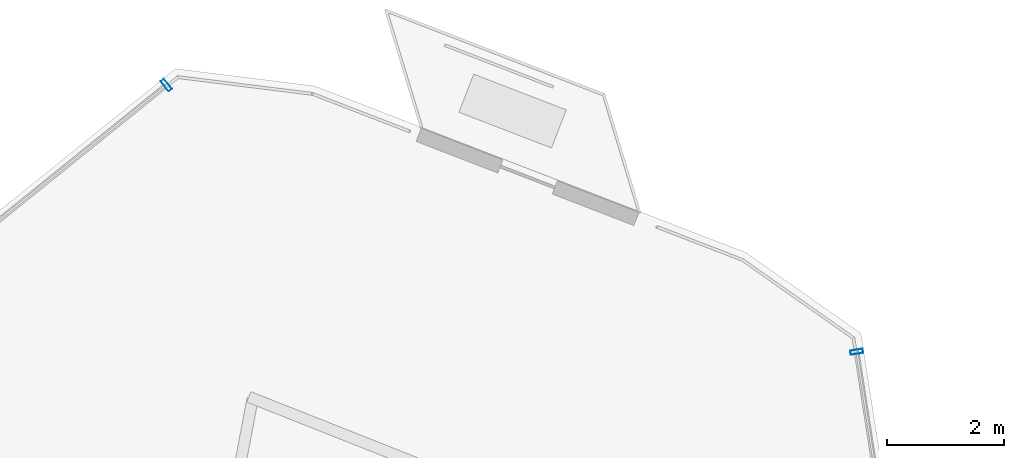
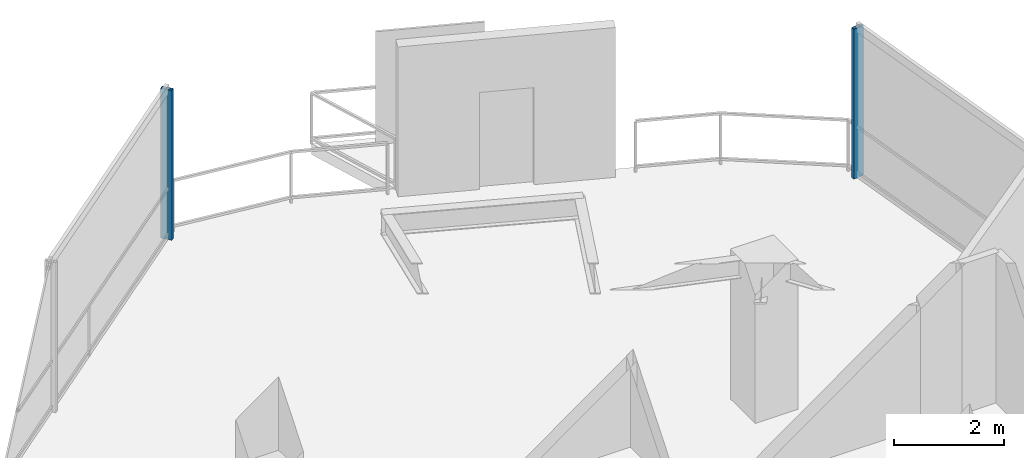
# One storey, part 14 of 19: 2 members, 2 elements without a shape of their own.
"""IFC4 building model written with IfcOpenShell, lengths in metres."""

import ifcopenshell
import ifcopenshell.guid

model = None  # the IFC model being written
_history = None  # IfcOwnerHistory: only IFC2X3 demands one
_inside = {}  # id of a spatial element -> (the spatial element, [elements in it])
_under = {}  # id of a project, library or spatial element -> (it, [spatial elements below it])
_declared = {}  # id of a project -> (the project, [libraries it declares])
_typed = {}  # id of a type object -> (the type object, [elements of that type])
_made_of = {}  # id of a material, layer set ... -> (it, [elements and type objects made of it])


def new_model(schema):
    """Start an empty IFC model of exactly this schema.

    Asked for "IFC4X3", IfcOpenShell would pick the latest addendum, in which some entities
    have other attributes; the version numbers below select the first issue.
    IFC2X3 requires an IfcOwnerHistory on every rooted entity: one is made here for all.
    """
    global model, _history
    if schema == "IFC4X3":
        model = ifcopenshell.file(schema_version=(4, 3, 0, 0))
    else:
        model = ifcopenshell.file(schema=schema)
    _inside.clear()
    _under.clear()
    _declared.clear()
    _typed.clear()
    _made_of.clear()
    _history = None
    if model.schema == "IFC2X3":
        org = make("IfcOrganization", Name="unknown")
        user = make(
            "IfcPersonAndOrganization",
            ThePerson=make("IfcPerson", FamilyName="unknown"),
            TheOrganization=org,
        )
        app = make(
            "IfcApplication",
            ApplicationDeveloper=org,
            Version="unknown",
            ApplicationFullName="unknown",
            ApplicationIdentifier="unknown",
        )
        _history = make(
            "IfcOwnerHistory",
            OwningUser=user,
            OwningApplication=app,
            ChangeAction="ADDED",
            CreationDate=0,
        )
    return model


def make(cls, **values):
    """One entity of the class cls with the attributes given. An attribute that is None is left unset."""
    return model.create_entity(
        cls, **{name: value for name, value in values.items() if value is not None}
    )


def rooted(cls, **values):
    """An entity with a GlobalId (a new one), such as an element, a storey or a relation."""
    return make(cls, GlobalId=ifcopenshell.guid.new(), OwnerHistory=_history, **values)


def si_unit(unit_type, name, prefix=None):
    """IfcSIUnit, for example si_unit("LENGTHUNIT", "METRE", prefix="MILLI")."""
    return make("IfcSIUnit", UnitType=unit_type, Prefix=prefix, Name=name)


def assignment(units):
    """IfcUnitAssignment: the units of a project."""
    return None if units is None else make("IfcUnitAssignment", Units=units)


def point(xyz):
    """IfcCartesianPoint."""
    return None if xyz is None else make("IfcCartesianPoint", Coordinates=xyz)


def direction(xyz):
    """IfcDirection."""
    return None if xyz is None else make("IfcDirection", DirectionRatios=xyz)


def frame(location, z_axis=None, x_axis=None):
    """IfcAxis2Placement3D, a coordinate frame: its origin and axes. An axis left out is left unset."""
    return make(
        "IfcAxis2Placement3D",
        Location=point(location),
        Axis=direction(z_axis),
        RefDirection=direction(x_axis),
    )


def frame_2d(location, x_axis=None):
    """IfcAxis2Placement2D, a coordinate frame in the plane: its origin and x axis."""
    return make(
        "IfcAxis2Placement2D", Location=point(location), RefDirection=direction(x_axis)
    )


def origin():
    """The frame at (0, 0, 0) with its axes left unset."""
    return frame((0.0, 0.0, 0.0))


def origin_2d():
    """The frame at (0, 0) in the plane with its x axis left unset."""
    return frame_2d((0.0, 0.0))


def place(relative_to, where):
    """IfcLocalPlacement: puts the frame where relative to a parent placement (None: the world)."""
    return make(
        "IfcLocalPlacement", PlacementRelTo=relative_to, RelativePlacement=where
    )


def context(
    kind, dimensions, precision=None, world=None, true_north=None, identifier=None
):
    """IfcGeometricRepresentationContext, for example the 3D "Model" context."""
    return make(
        "IfcGeometricRepresentationContext",
        ContextIdentifier=identifier,
        ContextType=kind,
        CoordinateSpaceDimension=dimensions,
        Precision=precision,
        WorldCoordinateSystem=world,
        TrueNorth=true_north,
    )


def subcontext(parent, identifier, kind, view, scale=None):
    """IfcGeometricRepresentationSubContext, for example "Body" below "Model"."""
    return make(
        "IfcGeometricRepresentationSubContext",
        ContextIdentifier=identifier,
        ContextType=kind,
        ParentContext=parent,
        TargetScale=scale,
        TargetView=view,
    )


def project(units=None, contexts=None):
    """IfcProject with its units and contexts."""
    return rooted(
        "IfcProject",
        Name="project",
        RepresentationContexts=contexts,
        UnitsInContext=assignment(units),
    )


def spatial(cls, under=None, at=None, **own):
    """A site, building, storey or space (cls), placed at a placement, below another one or the project."""
    s = rooted(cls, ObjectPlacement=at, **own)
    if under is not None:
        _under.setdefault(under.id(), (under, []))[1].append(s)
    return s


def profile(cls, at=None, kind="AREA", **sizes):
    """A parametric profile (cls). Its sizes go by their IFC names, for example OverallWidth=200.0."""
    return make(cls, ProfileType=kind, Position=at, **sizes)


def hollow_rectangle(**sizes):
    """IfcRectangleHollowProfileDef."""
    return profile("IfcRectangleHollowProfileDef", **sizes)


def extrude(swept, where, along, depth):
    """IfcExtrudedAreaSolid: the profile swept, set in the frame where, extruded along a direction by depth."""
    return make(
        "IfcExtrudedAreaSolid",
        SweptArea=swept,
        Position=where,
        ExtrudedDirection=direction(along),
        Depth=depth,
    )


def shape(context_of_items, identifier, shape_type, items):
    """IfcShapeRepresentation: the items that make up one representation, for example the "Body"."""
    return make(
        "IfcShapeRepresentation",
        ContextOfItems=context_of_items,
        RepresentationIdentifier=identifier,
        RepresentationType=shape_type,
        Items=items,
    )


def material(Name=None, Category=None):
    """IfcMaterial."""
    return make("IfcMaterial", Name=Name, Category=Category)


def layer(
    of_material, thickness, ventilated=None, Name=None, Category=None, Priority=None
):
    """IfcMaterialLayer: one layer of a wall or slab, of a material (None: an air gap)."""
    return make(
        "IfcMaterialLayer",
        Material=of_material,
        LayerThickness=thickness,
        IsVentilated=ventilated,
        Name=Name,
        Category=Category,
        Priority=Priority,
    )


def layer_set(layers, Name=None):
    """IfcMaterialLayerSet."""
    return make("IfcMaterialLayerSet", MaterialLayers=layers, LayerSetName=Name)


def material_profile(
    of_material, cross_section, Name=None, Category=None, Priority=None
):
    """IfcMaterialProfile: a cross section and its material."""
    return make(
        "IfcMaterialProfile",
        Name=Name,
        Material=of_material,
        Profile=cross_section,
        Priority=Priority,
        Category=Category,
    )


def profile_set(profiles, Name=None, composite=None):
    """IfcMaterialProfileSet."""
    return make(
        "IfcMaterialProfileSet",
        Name=Name,
        MaterialProfiles=profiles,
        CompositeProfile=composite,
    )


def made_of(thing, what):
    """Note that an element or type object is made of a material, layer set ...; save() writes the relation."""
    if what is not None:
        _made_of.setdefault(what.id(), (what, []))[1].append(thing)
    return thing


def type_object(cls, material=None, **own):
    """A type object (cls), such as IfcWallType, which elements share."""
    return made_of(rooted(cls, **own), material)


def element(
    cls,
    number,
    at=None,
    inside=None,
    cuts=None,
    type_object=None,
    material=None,
    context=None,
    identifier="Body",
    shape_type=None,
    held_by="IfcProductDefinitionShape",
    body=None,
    shapes=None,
    **own,
):
    """One element of the class cls, such as IfcWall. Its Tag is "e" and its number.

    at: its placement. inside: the storey or other place that contains it. cuts: it is an
    opening in that element (IfcRelVoidsElement). A single representation is given by context,
    identifier, shape_type and body (its items); several are given by shapes. held_by: the class
    of the entity that holds the representations. save() writes the other relations.
    """
    e = rooted(cls, Tag="e%d" % number, ObjectPlacement=at, **own)
    if body is not None:
        shapes = [shape(context, identifier, shape_type, body)]
    if shapes is not None:
        e.Representation = make(held_by, Representations=shapes)
    if inside is not None:
        _inside.setdefault(inside.id(), (inside, []))[1].append(e)
    if cuts is not None:
        rooted(
            "IfcRelVoidsElement", RelatingBuildingElement=cuts, RelatedOpeningElement=e
        )
    if type_object is not None:
        _typed.setdefault(type_object.id(), (type_object, []))[1].append(e)
    return made_of(e, material)


def aggregate(whole, parts):
    """IfcRelAggregates: a whole, such as a stair, and the parts it consists of."""
    return rooted("IfcRelAggregates", RelatingObject=whole, RelatedObjects=parts)


def save(model, path):
    """Write the relations noted so far, then the file.

    IfcRelAggregates (storeys below a building ...), IfcRelContainedInSpatialStructure (elements
    in a storey), IfcRelDefinesByType, IfcRelAssociatesMaterial and IfcRelDeclares: one each for
    every whole, place, type object, material and project.
    """
    for whole, parts in _under.values():
        aggregate(whole, parts)
    for where, things in _inside.values():
        rooted(
            "IfcRelContainedInSpatialStructure",
            RelatedElements=things,
            RelatingStructure=where,
        )
    for kind, things in _typed.values():
        rooted("IfcRelDefinesByType", RelatedObjects=things, RelatingType=kind)
    for what, things in _made_of.values():
        rooted("IfcRelAssociatesMaterial", RelatedObjects=things, RelatingMaterial=what)
    for by, libraries in _declared.values():
        rooted("IfcRelDeclares", RelatingContext=by, RelatedDefinitions=libraries)
    model.write(path)


model = new_model("IFC4")

# Units and contexts
model_context = context("Model", 3, precision=1e-05, world=origin(), true_north=direction((0.0, 1.0)))
body_context = subcontext(model_context, "Body", "Model", "MODEL_VIEW")
ifc_project = project(units=[si_unit("LENGTHUNIT", "METRE"), si_unit("AREAUNIT", "SQUARE_METRE"), si_unit("VOLUMEUNIT", "CUBIC_METRE"), si_unit("PLANEANGLEUNIT", "RADIAN"), si_unit("MASSUNIT", "GRAM", prefix="KILO")], contexts=[model_context])

# Site, building, storey
site_placement = place(None, origin())
site = spatial("IfcSite", under=ifc_project, at=site_placement, CompositionType="ELEMENT")
building_placement = place(site_placement, origin())
building = spatial("IfcBuilding", under=site, at=building_placement, Name="Qarnah Convention Tower", CompositionType="ELEMENT")
storey_placement = place(building_placement, frame((0.0, 0.0, 213.0)))
storey = spatial("IfcBuildingStorey", under=building, at=storey_placement, Name="L57", CompositionType="ELEMENT", Elevation=213.0)

# Curtain wall, member
ifc_material_1 = material(Name="Tempered Low-E dark glass", Category="glass")
ifc_layer = layer(ifc_material_1, 0.174072265625)
ifc_layer_set = layer_set([ifc_layer], Name="Tempered Low-E dark glass")
curtain_wall_type = type_object("IfcCurtainWallType", Name="CWS-04", PredefinedType="NOTDEFINED", material=ifc_layer_set)
curtain_wall_1_placement = place(storey_placement, origin())
curtain_wall_1 = element("IfcCurtainWall", 1, at=curtain_wall_1_placement, inside=storey, type_object=curtain_wall_type, Name="L57 unitised curtain wall CW-L57-F2", PredefinedType="NOTDEFINED")
ifc_material_2 = material(Name="Black anodised aluminium", Category="aluminium")
ifc_material_profile = material_profile(ifc_material_2, hollow_rectangle(XDim=0.074951171875, YDim=0.219970703125, WallThickness=0.0048828125, at=origin_2d()), Name="MUL-75X220")
ifc_profile_set = profile_set([ifc_material_profile], Name="Black anodised aluminium")
member_type = type_object("IfcMemberType", Name="MUL-T4", PredefinedType="MULLION", material=ifc_profile_set)
member_1_placement = place(storey_placement, frame((50.5869140625, 43.24609375, 0.0), z_axis=(0.0, 0.0, 1.0), x_axis=(0.154360185403, -0.98801464218, 0.0)))
member_1 = element("IfcMember", 2, at=member_1_placement, type_object=member_type, Name="CW-L57-F2 mullion 1", PredefinedType="MULLION", context=body_context, shape_type="SweptSolid", body=[
    extrude(hollow_rectangle(XDim=0.074951171875, YDim=0.219970703125, WallThickness=0.0048828125, at=origin_2d()), origin(), (0.0, 0.0, 1.0), 3.320068359375),
])
aggregate(curtain_wall_1, [member_1])

curtain_wall_2_placement = place(storey_placement, origin())
curtain_wall_2 = element("IfcCurtainWall", 3, at=curtain_wall_2_placement, inside=storey, type_object=curtain_wall_type, Name="L57 unitised curtain wall CW-L57-F3", PredefinedType="NOTDEFINED")
member_2_placement = place(storey_placement, frame((38.756103515625, 47.81591796875, 0.0), z_axis=(0.0, 0.0, 1.0), x_axis=(0.778476674692, 0.627673535336, 0.0)))
member_2 = element("IfcMember", 4, at=member_2_placement, type_object=member_type, Name="CW-L57-F3 mullion 6", PredefinedType="MULLION", context=body_context, shape_type="SweptSolid", body=[
    extrude(hollow_rectangle(XDim=0.074951171875, YDim=0.219970703125, WallThickness=0.0048828125, at=origin_2d()), origin(), (0.0, 0.0, 1.0), 3.320068359375),
])
aggregate(curtain_wall_2, [member_2])

save(model, "model.ifc")
